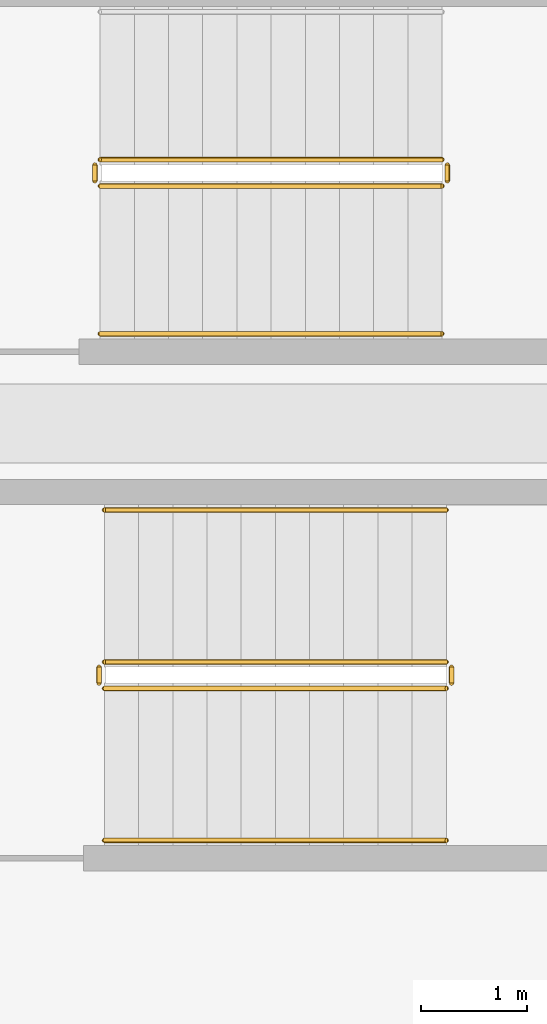
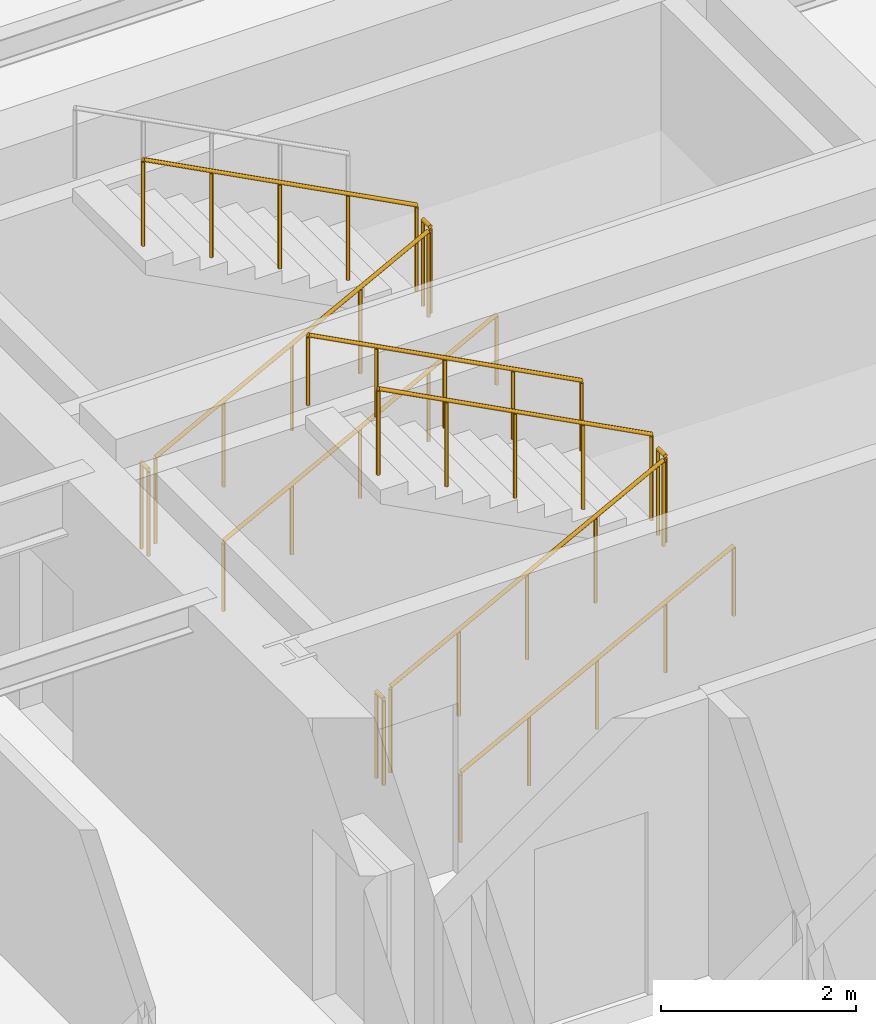
# One storey, part 11 of 12: 11 railings.
"""IFC4 building model written with IfcOpenShell, lengths in metres."""

from ifc_helpers import new_model, si_unit, direction, frame, origin, origin_2d, place, context, subcontext, project, spatial, circle, extrude, material, type_object, element, save


model = new_model("IFC4")

# Units and contexts
model_context = context("Model", 3, precision=1e-05, world=origin(), true_north=direction((0.0, 1.0)))
body_context = subcontext(model_context, "Body", "Model", "MODEL_VIEW")
ifc_project = project(units=[si_unit("LENGTHUNIT", "METRE"), si_unit("AREAUNIT", "SQUARE_METRE"), si_unit("VOLUMEUNIT", "CUBIC_METRE"), si_unit("PLANEANGLEUNIT", "RADIAN"), si_unit("MASSUNIT", "GRAM", prefix="KILO")], contexts=[model_context])

# Site, building, storey
site_placement = place(None, origin())
site = spatial("IfcSite", under=ifc_project, at=site_placement, CompositionType="ELEMENT")
building_placement = place(site_placement, origin())
building = spatial("IfcBuilding", under=site, at=building_placement, Name="Kolvaren Arena Tower", CompositionType="ELEMENT")
storey_placement = place(building_placement, frame((0.0, 0.0, 199.699951171875)))
storey = spatial("IfcBuildingStorey", under=building, at=storey_placement, Name="L48", CompositionType="ELEMENT", Elevation=199.699951171875)

# Railings
ifc_material_1 = material(Name="Painted galvanized steel", Category="steel")
railing_type_1 = type_object("IfcRailingType", Name="GUARD-ST-110", PredefinedType="GUARDRAIL", material=ifc_material_1)
railing_1_placement = place(storey_placement, frame((52.719970703125, 31.639892578125, 0.17041015625)))
element("IfcRailing", 1, at=railing_1_placement, inside=storey, type_object=railing_type_1, Name="L48 ST-E1 stair guard 1", PredefinedType="GUARDRAIL", context=body_context, shape_type="SweptSolid", body=[
    extrude(circle(Radius=0.02392578125, at=origin_2d()), frame((0.0, 0.0, 1.076171875), z_axis=(0.884993431791, 0.0, 0.465603506952), x_axis=(0.0, 1.0, 0.0)), (0.0, 0.0, 1.0), 3.6611328125),
    extrude(circle(Radius=0.02099609375, at=origin_2d()), origin(), (0.0, 0.0, 1.0), 1.052001953125),
    extrude(circle(Radius=0.02099609375, at=origin_2d()), frame((0.81005859375, 0.0, 0.42626953125)), (0.0, 0.0, 1.0), 1.052001953125),
    extrude(circle(Radius=0.02099609375, at=origin_2d()), frame((1.6201171875, 0.0, 0.852294921875)), (0.0, 0.0, 1.0), 1.052001953125),
    extrude(circle(Radius=0.02099609375, at=origin_2d()), frame((2.429931640625, 0.0, 1.2783203125)), (0.0, 0.0, 1.0), 1.052001953125),
    extrude(circle(Radius=0.02099609375, at=origin_2d()), frame((3.239990234375, 0.0, 1.70458984375)), (0.0, 0.0, 1.0), 1.052001953125),
])
railing_2_placement = place(storey_placement, frame((56.010009765625, 31.68994140625, 1.875)))
element("IfcRailing", 2, at=railing_2_placement, inside=storey, type_object=railing_type_1, Name="L48 ST-E1 stair guard 2", PredefinedType="GUARDRAIL", context=body_context, shape_type="SweptSolid", body=[
    extrude(circle(Radius=0.02392578125, at=origin_2d()), frame((0.0, 0.0, 1.076171875), z_axis=(0.0, 1.0, 0.0), x_axis=(-1.0, 0.0, 0.0)), (0.0, 0.0, 1.0), 0.150146484375),
    extrude(circle(Radius=0.02099609375, at=origin_2d()), origin(), (0.0, 0.0, 1.0), 1.052001953125),
    extrude(circle(Radius=0.02099609375, at=origin_2d()), frame((0.0, 0.150146484375, 0.0)), (0.0, 0.0, 1.0), 1.052001953125),
])
railing_3_placement = place(storey_placement, frame((55.9599609375, 31.889892578125, 2.04541015625)))
element("IfcRailing", 3, at=railing_3_placement, inside=storey, type_object=railing_type_1, Name="L48 ST-E1 stair guard 3", PredefinedType="GUARDRAIL", context=body_context, shape_type="SweptSolid", body=[
    extrude(circle(Radius=0.02392578125, at=origin_2d()), frame((0.0, 0.0, 1.076171875), z_axis=(-0.884993431791, 0.0, 0.465603506952), x_axis=(0.0, -1.0, 0.0)), (0.0, 0.0, 1.0), 3.6611328125),
    extrude(circle(Radius=0.02099609375, at=origin_2d()), origin(), (0.0, 0.0, 1.0), 1.052001953125),
    extrude(circle(Radius=0.02099609375, at=origin_2d()), frame((-0.81005859375, 0.0, 0.42626953125)), (0.0, 0.0, 1.0), 1.052001953125),
    extrude(circle(Radius=0.02099609375, at=origin_2d()), frame((-1.6201171875, 0.0, 0.852294921875)), (0.0, 0.0, 1.0), 1.052001953125),
    extrude(circle(Radius=0.02099609375, at=origin_2d()), frame((-2.429931640625, 0.0, 1.2783203125)), (0.0, 0.0, 1.0), 1.052001953125),
    extrude(circle(Radius=0.02099609375, at=origin_2d()), frame((-3.239990234375, 0.0, 1.70458984375)), (0.0, 0.0, 1.0), 1.052001953125),
])
railing_4_placement = place(storey_placement, frame((52.669921875, 31.68994140625, 0.0)))
element("IfcRailing", 4, at=railing_4_placement, inside=storey, type_object=railing_type_1, Name="L48 ST-E1 stair guard 4", PredefinedType="GUARDRAIL", context=body_context, shape_type="SweptSolid", body=[
    extrude(circle(Radius=0.02392578125, at=origin_2d()), frame((0.0, 0.0, 1.076171875), z_axis=(0.0, 1.0, 0.0), x_axis=(-1.0, 0.0, 0.0)), (0.0, 0.0, 1.0), 0.150146484375),
    extrude(circle(Radius=0.02099609375, at=origin_2d()), origin(), (0.0, 0.0, 1.0), 1.052001953125),
    extrude(circle(Radius=0.02099609375, at=origin_2d()), frame((0.0, 0.150146484375, 0.0)), (0.0, 0.0, 1.0), 1.052001953125),
])
railing_5_placement = place(storey_placement, frame((52.679931640625, 36.39990234375, 0.17041015625)))
element("IfcRailing", 5, at=railing_5_placement, inside=storey, type_object=railing_type_1, Name="L48 ST-E2 stair guard 1", PredefinedType="GUARDRAIL", context=body_context, shape_type="SweptSolid", body=[
    extrude(circle(Radius=0.02392578125, at=origin_2d()), frame((0.0, 0.0, 1.076171875), z_axis=(0.884993431791, 0.0, 0.465603506952), x_axis=(0.0, 1.0, 0.0)), (0.0, 0.0, 1.0), 3.6611328125),
    extrude(circle(Radius=0.02099609375, at=origin_2d()), origin(), (0.0, 0.0, 1.0), 1.052001953125),
    extrude(circle(Radius=0.02099609375, at=origin_2d()), frame((0.81005859375, 0.0, 0.42626953125)), (0.0, 0.0, 1.0), 1.052001953125),
    extrude(circle(Radius=0.02099609375, at=origin_2d()), frame((1.6201171875, 0.0, 0.852294921875)), (0.0, 0.0, 1.0), 1.052001953125),
    extrude(circle(Radius=0.02099609375, at=origin_2d()), frame((2.429931640625, 0.0, 1.2783203125)), (0.0, 0.0, 1.0), 1.052001953125),
    extrude(circle(Radius=0.02099609375, at=origin_2d()), frame((3.239990234375, 0.0, 1.70458984375)), (0.0, 0.0, 1.0), 1.052001953125),
])
railing_6_placement = place(storey_placement, frame((55.969970703125, 36.449951171875, 1.875)))
element("IfcRailing", 6, at=railing_6_placement, inside=storey, type_object=railing_type_1, Name="L48 ST-E2 stair guard 2", PredefinedType="GUARDRAIL", context=body_context, shape_type="SweptSolid", body=[
    extrude(circle(Radius=0.02392578125, at=origin_2d()), frame((0.0, 0.0, 1.076171875), z_axis=(0.0, 1.0, 0.0), x_axis=(-1.0, 0.0, 0.0)), (0.0, 0.0, 1.0), 0.150146484375),
    extrude(circle(Radius=0.02099609375, at=origin_2d()), origin(), (0.0, 0.0, 1.0), 1.052001953125),
    extrude(circle(Radius=0.02099609375, at=origin_2d()), frame((0.0, 0.150146484375, 0.0)), (0.0, 0.0, 1.0), 1.052001953125),
])
railing_7_placement = place(storey_placement, frame((55.919921875, 36.64990234375, 2.04541015625)))
element("IfcRailing", 7, at=railing_7_placement, inside=storey, type_object=railing_type_1, Name="L48 ST-E2 stair guard 3", PredefinedType="GUARDRAIL", context=body_context, shape_type="SweptSolid", body=[
    extrude(circle(Radius=0.02392578125, at=origin_2d()), frame((0.0, 0.0, 1.076171875), z_axis=(-0.884993431791, 0.0, 0.465603506952), x_axis=(0.0, -1.0, 0.0)), (0.0, 0.0, 1.0), 3.6611328125),
    extrude(circle(Radius=0.02099609375, at=origin_2d()), origin(), (0.0, 0.0, 1.0), 1.052001953125),
    extrude(circle(Radius=0.02099609375, at=origin_2d()), frame((-0.81005859375, 0.0, 0.42626953125)), (0.0, 0.0, 1.0), 1.052001953125),
    extrude(circle(Radius=0.02099609375, at=origin_2d()), frame((-1.6201171875, 0.0, 0.852294921875)), (0.0, 0.0, 1.0), 1.052001953125),
    extrude(circle(Radius=0.02099609375, at=origin_2d()), frame((-2.429931640625, 0.0, 1.2783203125)), (0.0, 0.0, 1.0), 1.052001953125),
    extrude(circle(Radius=0.02099609375, at=origin_2d()), frame((-3.239990234375, 0.0, 1.70458984375)), (0.0, 0.0, 1.0), 1.052001953125),
])
railing_8_placement = place(storey_placement, frame((52.6298828125, 36.449951171875, 0.0)))
element("IfcRailing", 8, at=railing_8_placement, inside=storey, type_object=railing_type_1, Name="L48 ST-E2 stair guard 4", PredefinedType="GUARDRAIL", context=body_context, shape_type="SweptSolid", body=[
    extrude(circle(Radius=0.02392578125, at=origin_2d()), frame((0.0, 0.0, 1.076171875), z_axis=(0.0, 1.0, 0.0), x_axis=(-1.0, 0.0, 0.0)), (0.0, 0.0, 1.0), 0.150146484375),
    extrude(circle(Radius=0.02099609375, at=origin_2d()), origin(), (0.0, 0.0, 1.0), 1.052001953125),
    extrude(circle(Radius=0.02099609375, at=origin_2d()), frame((0.0, 0.150146484375, 0.0)), (0.0, 0.0, 1.0), 1.052001953125),
])
ifc_material_2 = material(Name="Brushed stainless steel handrail", Category="steel")
railing_type_2 = type_object("IfcRailingType", Name="HRAIL-900", PredefinedType="HANDRAIL", material=ifc_material_2)
railing_9_placement = place(storey_placement, frame((52.719970703125, 30.199951171875, 0.17041015625)))
element("IfcRailing", 9, at=railing_9_placement, inside=storey, type_object=railing_type_2, Name="L48 ST-E1 stair handrail 1", PredefinedType="HANDRAIL", context=body_context, shape_type="SweptSolid", body=[
    extrude(circle(Radius=0.02392578125, at=origin_2d()), frame((0.0, 0.0, 0.8759765625), z_axis=(0.884993431791, 0.0, 0.465603506952), x_axis=(0.0, 1.0, 0.0)), (0.0, 0.0, 1.0), 3.6611328125),
    extrude(circle(Radius=0.02099609375, at=origin_2d()), origin(), (0.0, 0.0, 1.0), 0.851806640625),
    extrude(circle(Radius=0.02099609375, at=origin_2d()), frame((0.81005859375, 0.0, 0.42626953125)), (0.0, 0.0, 1.0), 0.851806640625),
    extrude(circle(Radius=0.02099609375, at=origin_2d()), frame((1.6201171875, 0.0, 0.852294921875)), (0.0, 0.0, 1.0), 0.851806640625),
    extrude(circle(Radius=0.02099609375, at=origin_2d()), frame((2.429931640625, 0.0, 1.2783203125)), (0.0, 0.0, 1.0), 0.851806640625),
    extrude(circle(Radius=0.02099609375, at=origin_2d()), frame((3.239990234375, 0.0, 1.70458984375)), (0.0, 0.0, 1.0), 0.851806640625),
])
railing_10_placement = place(storey_placement, frame((55.9599609375, 33.330078125, 2.04541015625)))
element("IfcRailing", 10, at=railing_10_placement, inside=storey, type_object=railing_type_2, Name="L48 ST-E1 stair handrail 2", PredefinedType="HANDRAIL", context=body_context, shape_type="SweptSolid", body=[
    extrude(circle(Radius=0.02392578125, at=origin_2d()), frame((0.0, 0.0, 0.8759765625), z_axis=(-0.884993431791, 0.0, 0.465603506952), x_axis=(0.0, -1.0, 0.0)), (0.0, 0.0, 1.0), 3.6611328125),
    extrude(circle(Radius=0.02099609375, at=origin_2d()), origin(), (0.0, 0.0, 1.0), 0.851806640625),
    extrude(circle(Radius=0.02099609375, at=origin_2d()), frame((-0.81005859375, 0.0, 0.42626953125)), (0.0, 0.0, 1.0), 0.851806640625),
    extrude(circle(Radius=0.02099609375, at=origin_2d()), frame((-1.6201171875, 0.0, 0.852294921875)), (0.0, 0.0, 1.0), 0.851806640625),
    extrude(circle(Radius=0.02099609375, at=origin_2d()), frame((-2.429931640625, 0.0, 1.2783203125)), (0.0, 0.0, 1.0), 0.851806640625),
    extrude(circle(Radius=0.02099609375, at=origin_2d()), frame((-3.239990234375, 0.0, 1.70458984375)), (0.0, 0.0, 1.0), 0.851806640625),
])
railing_11_placement = place(storey_placement, frame((52.679931640625, 35.0, 0.17041015625)))
element("IfcRailing", 11, at=railing_11_placement, inside=storey, type_object=railing_type_2, Name="L48 ST-E2 stair handrail 1", PredefinedType="HANDRAIL", context=body_context, shape_type="SweptSolid", body=[
    extrude(circle(Radius=0.02392578125, at=origin_2d()), frame((0.0, 0.0, 0.8759765625), z_axis=(0.884993431791, 0.0, 0.465603506952), x_axis=(0.0, 1.0, 0.0)), (0.0, 0.0, 1.0), 3.6611328125),
    extrude(circle(Radius=0.02099609375, at=origin_2d()), origin(), (0.0, 0.0, 1.0), 0.851806640625),
    extrude(circle(Radius=0.02099609375, at=origin_2d()), frame((0.81005859375, 0.0, 0.42626953125)), (0.0, 0.0, 1.0), 0.851806640625),
    extrude(circle(Radius=0.02099609375, at=origin_2d()), frame((1.6201171875, 0.0, 0.852294921875)), (0.0, 0.0, 1.0), 0.851806640625),
    extrude(circle(Radius=0.02099609375, at=origin_2d()), frame((2.429931640625, 0.0, 1.2783203125)), (0.0, 0.0, 1.0), 0.851806640625),
    extrude(circle(Radius=0.02099609375, at=origin_2d()), frame((3.239990234375, 0.0, 1.70458984375)), (0.0, 0.0, 1.0), 0.851806640625),
])

save(model, "model.ifc")
